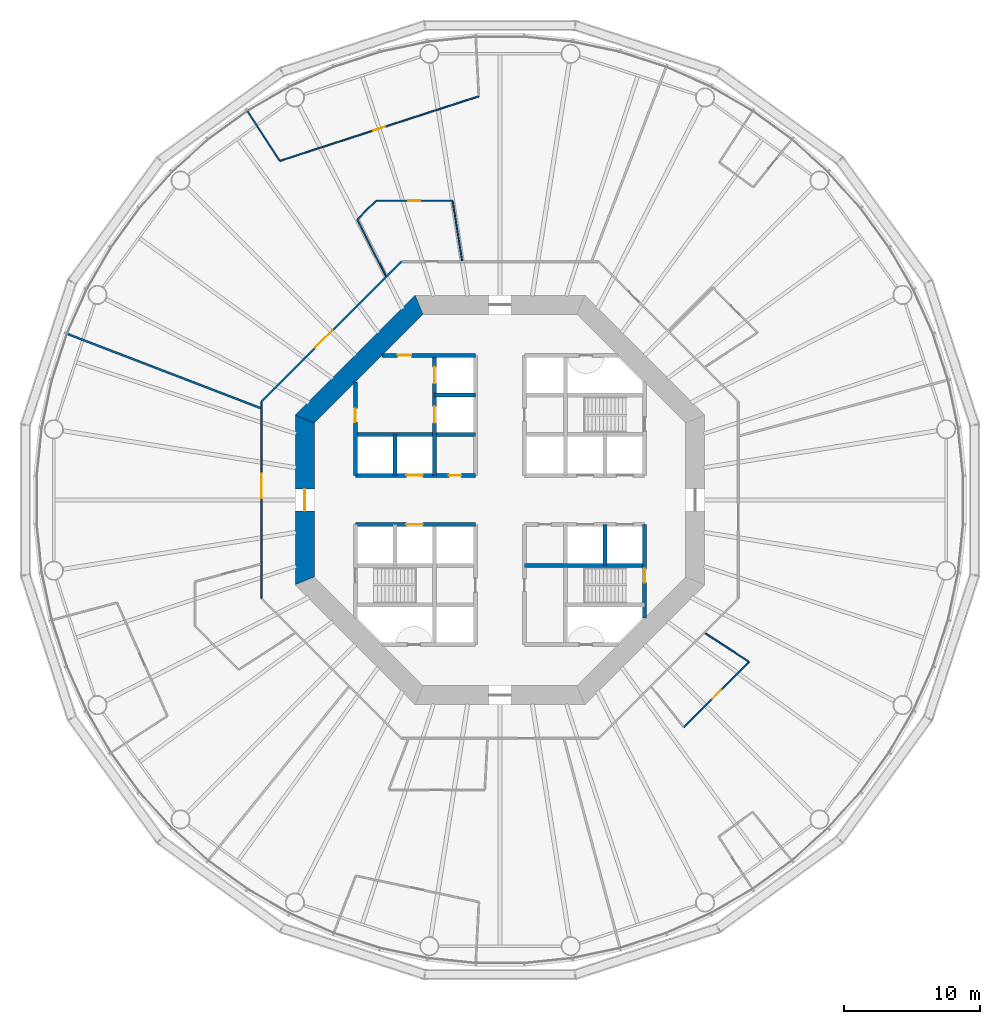
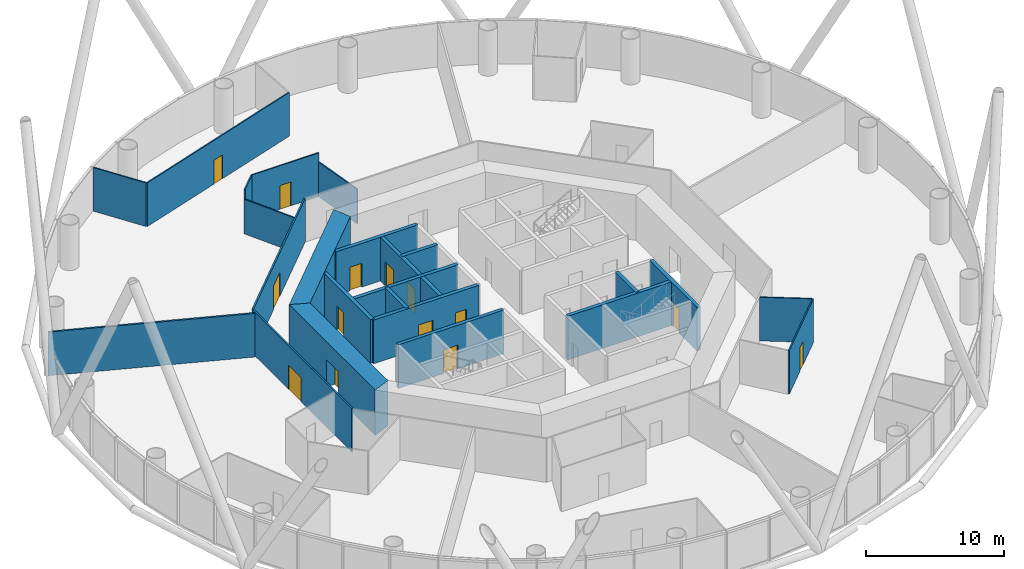
# One storey, part 4 of 13: 24 walls, 14 doors, 14 openings.
"""IFC4 building model written with IfcOpenShell, lengths in metres."""

import ifcopenshell
import ifcopenshell.guid

model = None  # the IFC model being written
_history = None  # IfcOwnerHistory: only IFC2X3 demands one
_inside = {}  # id of a spatial element -> (the spatial element, [elements in it])
_under = {}  # id of a project, library or spatial element -> (it, [spatial elements below it])
_declared = {}  # id of a project -> (the project, [libraries it declares])
_typed = {}  # id of a type object -> (the type object, [elements of that type])
_made_of = {}  # id of a material, layer set ... -> (it, [elements and type objects made of it])


def new_model(schema):
    """Start an empty IFC model of exactly this schema.

    Asked for "IFC4X3", IfcOpenShell would pick the latest addendum, in which some entities
    have other attributes; the version numbers below select the first issue.
    IFC2X3 requires an IfcOwnerHistory on every rooted entity: one is made here for all.
    """
    global model, _history
    if schema == "IFC4X3":
        model = ifcopenshell.file(schema_version=(4, 3, 0, 0))
    else:
        model = ifcopenshell.file(schema=schema)
    _inside.clear()
    _under.clear()
    _declared.clear()
    _typed.clear()
    _made_of.clear()
    _history = None
    if model.schema == "IFC2X3":
        org = make("IfcOrganization", Name="unknown")
        user = make(
            "IfcPersonAndOrganization",
            ThePerson=make("IfcPerson", FamilyName="unknown"),
            TheOrganization=org,
        )
        app = make(
            "IfcApplication",
            ApplicationDeveloper=org,
            Version="unknown",
            ApplicationFullName="unknown",
            ApplicationIdentifier="unknown",
        )
        _history = make(
            "IfcOwnerHistory",
            OwningUser=user,
            OwningApplication=app,
            ChangeAction="ADDED",
            CreationDate=0,
        )
    return model


def make(cls, **values):
    """One entity of the class cls with the attributes given. An attribute that is None is left unset."""
    return model.create_entity(
        cls, **{name: value for name, value in values.items() if value is not None}
    )


def rooted(cls, **values):
    """An entity with a GlobalId (a new one), such as an element, a storey or a relation."""
    return make(cls, GlobalId=ifcopenshell.guid.new(), OwnerHistory=_history, **values)


def si_unit(unit_type, name, prefix=None):
    """IfcSIUnit, for example si_unit("LENGTHUNIT", "METRE", prefix="MILLI")."""
    return make("IfcSIUnit", UnitType=unit_type, Prefix=prefix, Name=name)


def assignment(units):
    """IfcUnitAssignment: the units of a project."""
    return None if units is None else make("IfcUnitAssignment", Units=units)


def point(xyz):
    """IfcCartesianPoint."""
    return None if xyz is None else make("IfcCartesianPoint", Coordinates=xyz)


def direction(xyz):
    """IfcDirection."""
    return None if xyz is None else make("IfcDirection", DirectionRatios=xyz)


def frame(location, z_axis=None, x_axis=None):
    """IfcAxis2Placement3D, a coordinate frame: its origin and axes. An axis left out is left unset."""
    return make(
        "IfcAxis2Placement3D",
        Location=point(location),
        Axis=direction(z_axis),
        RefDirection=direction(x_axis),
    )


def frame_2d(location, x_axis=None):
    """IfcAxis2Placement2D, a coordinate frame in the plane: its origin and x axis."""
    return make(
        "IfcAxis2Placement2D", Location=point(location), RefDirection=direction(x_axis)
    )


def origin():
    """The frame at (0, 0, 0) with its axes left unset."""
    return frame((0.0, 0.0, 0.0))


def place(relative_to, where):
    """IfcLocalPlacement: puts the frame where relative to a parent placement (None: the world)."""
    return make(
        "IfcLocalPlacement", PlacementRelTo=relative_to, RelativePlacement=where
    )


def context(
    kind, dimensions, precision=None, world=None, true_north=None, identifier=None
):
    """IfcGeometricRepresentationContext, for example the 3D "Model" context."""
    return make(
        "IfcGeometricRepresentationContext",
        ContextIdentifier=identifier,
        ContextType=kind,
        CoordinateSpaceDimension=dimensions,
        Precision=precision,
        WorldCoordinateSystem=world,
        TrueNorth=true_north,
    )


def subcontext(parent, identifier, kind, view, scale=None):
    """IfcGeometricRepresentationSubContext, for example "Body" below "Model"."""
    return make(
        "IfcGeometricRepresentationSubContext",
        ContextIdentifier=identifier,
        ContextType=kind,
        ParentContext=parent,
        TargetScale=scale,
        TargetView=view,
    )


def project(units=None, contexts=None):
    """IfcProject with its units and contexts."""
    return rooted(
        "IfcProject",
        Name="project",
        RepresentationContexts=contexts,
        UnitsInContext=assignment(units),
    )


def spatial(cls, under=None, at=None, **own):
    """A site, building, storey or space (cls), placed at a placement, below another one or the project."""
    s = rooted(cls, ObjectPlacement=at, **own)
    if under is not None:
        _under.setdefault(under.id(), (under, []))[1].append(s)
    return s


def polyline(points):
    """IfcPolyline through the points."""
    return make("IfcPolyline", Points=[point(p) for p in points])


def profile(cls, at=None, kind="AREA", **sizes):
    """A parametric profile (cls). Its sizes go by their IFC names, for example OverallWidth=200.0."""
    return make(cls, ProfileType=kind, Position=at, **sizes)


def rectangle(**sizes):
    """IfcRectangleProfileDef."""
    return profile("IfcRectangleProfileDef", **sizes)


def outline(outer, holes=None, kind="AREA"):
    """IfcArbitraryClosedProfileDef: a profile drawn as a closed curve; with holes, ...WithVoids."""
    if holes is None:
        return make("IfcArbitraryClosedProfileDef", ProfileType=kind, OuterCurve=outer)
    return make(
        "IfcArbitraryProfileDefWithVoids",
        ProfileType=kind,
        OuterCurve=outer,
        InnerCurves=holes,
    )


def extrude(swept, where, along, depth):
    """IfcExtrudedAreaSolid: the profile swept, set in the frame where, extruded along a direction by depth."""
    return make(
        "IfcExtrudedAreaSolid",
        SweptArea=swept,
        Position=where,
        ExtrudedDirection=direction(along),
        Depth=depth,
    )


def shape(context_of_items, identifier, shape_type, items):
    """IfcShapeRepresentation: the items that make up one representation, for example the "Body"."""
    return make(
        "IfcShapeRepresentation",
        ContextOfItems=context_of_items,
        RepresentationIdentifier=identifier,
        RepresentationType=shape_type,
        Items=items,
    )


def material(Name=None, Category=None):
    """IfcMaterial."""
    return make("IfcMaterial", Name=Name, Category=Category)


def layer(
    of_material, thickness, ventilated=None, Name=None, Category=None, Priority=None
):
    """IfcMaterialLayer: one layer of a wall or slab, of a material (None: an air gap)."""
    return make(
        "IfcMaterialLayer",
        Material=of_material,
        LayerThickness=thickness,
        IsVentilated=ventilated,
        Name=Name,
        Category=Category,
        Priority=Priority,
    )


def layer_set(layers, Name=None):
    """IfcMaterialLayerSet."""
    return make("IfcMaterialLayerSet", MaterialLayers=layers, LayerSetName=Name)


def made_of(thing, what):
    """Note that an element or type object is made of a material, layer set ...; save() writes the relation."""
    if what is not None:
        _made_of.setdefault(what.id(), (what, []))[1].append(thing)
    return thing


def type_object(cls, material=None, **own):
    """A type object (cls), such as IfcWallType, which elements share."""
    return made_of(rooted(cls, **own), material)


def element(
    cls,
    number,
    at=None,
    inside=None,
    cuts=None,
    type_object=None,
    material=None,
    context=None,
    identifier="Body",
    shape_type=None,
    held_by="IfcProductDefinitionShape",
    body=None,
    shapes=None,
    **own,
):
    """One element of the class cls, such as IfcWall. Its Tag is "e" and its number.

    at: its placement. inside: the storey or other place that contains it. cuts: it is an
    opening in that element (IfcRelVoidsElement). A single representation is given by context,
    identifier, shape_type and body (its items); several are given by shapes. held_by: the class
    of the entity that holds the representations. save() writes the other relations.
    """
    e = rooted(cls, Tag="e%d" % number, ObjectPlacement=at, **own)
    if body is not None:
        shapes = [shape(context, identifier, shape_type, body)]
    if shapes is not None:
        e.Representation = make(held_by, Representations=shapes)
    if inside is not None:
        _inside.setdefault(inside.id(), (inside, []))[1].append(e)
    if cuts is not None:
        rooted(
            "IfcRelVoidsElement", RelatingBuildingElement=cuts, RelatedOpeningElement=e
        )
    if type_object is not None:
        _typed.setdefault(type_object.id(), (type_object, []))[1].append(e)
    return made_of(e, material)


def fill(opening, filler):
    """IfcRelFillsElement: the door or window that sits in an opening."""
    return rooted(
        "IfcRelFillsElement",
        RelatingOpeningElement=opening,
        RelatedBuildingElement=filler,
    )


def aggregate(whole, parts):
    """IfcRelAggregates: a whole, such as a stair, and the parts it consists of."""
    return rooted("IfcRelAggregates", RelatingObject=whole, RelatedObjects=parts)


def save(model, path):
    """Write the relations noted so far, then the file.

    IfcRelAggregates (storeys below a building ...), IfcRelContainedInSpatialStructure (elements
    in a storey), IfcRelDefinesByType, IfcRelAssociatesMaterial and IfcRelDeclares: one each for
    every whole, place, type object, material and project.
    """
    for whole, parts in _under.values():
        aggregate(whole, parts)
    for where, things in _inside.values():
        rooted(
            "IfcRelContainedInSpatialStructure",
            RelatedElements=things,
            RelatingStructure=where,
        )
    for kind, things in _typed.values():
        rooted("IfcRelDefinesByType", RelatedObjects=things, RelatingType=kind)
    for what, things in _made_of.values():
        rooted("IfcRelAssociatesMaterial", RelatedObjects=things, RelatingMaterial=what)
    for by, libraries in _declared.values():
        rooted("IfcRelDeclares", RelatingContext=by, RelatedDefinitions=libraries)
    model.write(path)


model = new_model("IFC4")

# Units and contexts
model_context = context("Model", 3, precision=1e-05, world=origin(), true_north=direction((0.0, 1.0)))
body_context = subcontext(model_context, "Body", "Model", "MODEL_VIEW")
ifc_project = project(units=[si_unit("LENGTHUNIT", "METRE"), si_unit("AREAUNIT", "SQUARE_METRE"), si_unit("VOLUMEUNIT", "CUBIC_METRE"), si_unit("PLANEANGLEUNIT", "RADIAN"), si_unit("MASSUNIT", "GRAM", prefix="KILO")], contexts=[model_context])

# Site, building, storey
site_placement = place(None, origin())
site = spatial("IfcSite", under=ifc_project, at=site_placement, CompositionType="ELEMENT")
building_placement = place(site_placement, origin())
building = spatial("IfcBuilding", under=site, at=building_placement, Name="Entoto Ring Tower", CompositionType="ELEMENT")
storey_placement = place(building_placement, frame((0.0, 0.0, 18.0)))
storey = spatial("IfcBuildingStorey", under=building, at=storey_placement, Name="L02", CompositionType="ELEMENT", Elevation=18.0)

# Wall, opening, door
ifc_material_1 = material(Name="Concrete C40/50", Category="concrete")
ifc_layer_1 = layer(ifc_material_1, 0.300048828125)
ifc_layer_set_1 = layer_set([ifc_layer_1], Name="Concrete C40/50")
wall_type_1 = type_object("IfcWallType", Name="Core enclosure wall 300 mm reinforced concrete", PredefinedType="SOLIDWALL", material=ifc_layer_set_1)
wall_1_placement = place(storey_placement, frame((100.60009765625, 71.36669921875, 0.0), z_axis=(0.0, 0.0, 1.0), x_axis=(0.0, 1.0, 0.0)))
wall_1 = element("IfcWall", 1, at=wall_1_placement, inside=storey, type_object=wall_type_1, Name="wall-L02-001", PredefinedType="SOLIDWALL", context=body_context, shape_type="SweptSolid", body=[
    extrude(rectangle(XDim=6.833251953125, YDim=0.300048828125, at=frame_2d((3.41650390625, 0.0))), origin(), (0.0, 0.0, 1.0), 3.85009765625),
])
opening_1_placement = place(wall_1_placement, frame((2.583251953125, 0.0, 0.0)))
opening_1 = element("IfcOpeningElement", 2, at=opening_1_placement, cuts=wall_1, Name="Opening K-59", PredefinedType="OPENING", context=body_context, shape_type="SweptSolid", body=[
    extrude(rectangle(XDim=1.0, YDim=2.10009765625, at=frame_2d((0.5, 1.050048828125))), frame((0.0, 0.16015625, 0.0), z_axis=(0.0, -1.0, 0.0), x_axis=(1.0, 0.0, 0.0)), (0.0, 0.0, 1.0), 0.320068359375),
])
ifc_material_2 = material(Name="Steel door leaf, fire rated", Category="steel")
ifc_layer_2 = layer(ifc_material_2, 0.050048828125)
ifc_layer_set_2 = layer_set([ifc_layer_2], Name="Steel door leaf, fire rated")
door_type_1 = type_object("IfcDoorType", Name="Fire door FD60 1000 x 2100 single leaf", OperationType="NOTDEFINED", PredefinedType="DOOR", material=ifc_layer_set_2)
door_1_placement = place(opening_1_placement, origin())
door_1 = element("IfcDoor", 3, at=door_1_placement, inside=storey, type_object=door_type_1, Name="Door K-59", OperationType="SINGLE_SWING_RIGHT", OverallHeight=2.10009765625, OverallWidth=1.0, PredefinedType="DOOR", context=body_context, shape_type="SweptSolid", body=[
    extrude(rectangle(XDim=1.0, YDim=2.10009765625, at=frame_2d((0.5, 1.050048828125))), frame((0.0, 0.02490234375, 0.0), z_axis=(0.0, -1.0, 0.0), x_axis=(1.0, 0.0, 0.0)), (0.0, 0.0, 1.0), 0.050048828125),
])
fill(opening_1, door_1)

# Wall
wall_2_placement = place(storey_placement, frame((97.699951171875, 75.199951171875, 0.0), z_axis=(0.0, 0.0, 1.0), x_axis=(0.0, 1.0, 0.0)))
element("IfcWall", 4, at=wall_2_placement, inside=storey, type_object=wall_type_1, Name="wall-L02-003", PredefinedType="SOLIDWALL", context=body_context, shape_type="SweptSolid", body=[
    extrude(rectangle(XDim=3.0, YDim=0.300048828125, at=frame_2d((1.5, 0.0))), origin(), (0.0, 0.0, 1.0), 3.85009765625),
])

# Wall, openings, doors
wall_3_placement = place(storey_placement, frame((85.199951171875, 81.800048828125, 0.0), z_axis=(0.0, 0.0, 1.0), x_axis=(0.0, 1.0, 0.0)))
wall_3 = element("IfcWall", 5, at=wall_3_placement, inside=storey, type_object=wall_type_1, Name="wall-L02-012", PredefinedType="SOLIDWALL", context=body_context, shape_type="SweptSolid", body=[
    extrude(rectangle(XDim=8.800048828125, YDim=0.300048828125, at=frame_2d((4.39990234375, 0.0))), origin(), (0.0, 0.0, 1.0), 3.85009765625),
])
opening_2_placement = place(wall_3_placement, frame((3.85009765625, 0.0, 0.0)))
opening_2 = element("IfcOpeningElement", 6, at=opening_2_placement, cuts=wall_3, Name="Opening LD", PredefinedType="OPENING", context=body_context, shape_type="SweptSolid", body=[
    extrude(rectangle(XDim=1.199951171875, YDim=2.10009765625, at=frame_2d((0.60009765625, 1.050048828125))), frame((0.0, 0.16015625, 0.0), z_axis=(0.0, -1.0, 0.0), x_axis=(1.0, 0.0, 0.0)), (0.0, 0.0, 1.0), 0.320068359375),
])
opening_3_placement = place(wall_3_placement, frame((6.75, 0.0, 0.0)))
opening_3 = element("IfcOpeningElement", 7, at=opening_3_placement, cuts=wall_3, Name="Opening LD", PredefinedType="OPENING", context=body_context, shape_type="SweptSolid", body=[
    extrude(rectangle(XDim=1.199951171875, YDim=2.10009765625, at=frame_2d((0.60009765625, 1.050048828125))), frame((0.0, 0.16015625, 0.0), z_axis=(0.0, -1.0, 0.0), x_axis=(1.0, 0.0, 0.0)), (0.0, 0.0, 1.0), 0.320068359375),
])
ifc_material_3 = material(Name="Steel and glass door leaf", Category="steel")
ifc_layer_3 = layer(ifc_material_3, 0.050048828125)
ifc_layer_set_3 = layer_set([ifc_layer_3], Name="Steel and glass door leaf")
door_type_2 = type_object("IfcDoorType", Name="Landing door 1200 x 2100 sliding", OperationType="DOUBLE_DOOR_SLIDING", PredefinedType="DOOR", material=ifc_layer_set_3)
door_2_placement = place(opening_2_placement, origin())
door_2 = element("IfcDoor", 8, at=door_2_placement, inside=storey, type_object=door_type_2, Name="Landing door FF1", OperationType="SLIDING_TO_RIGHT", OverallHeight=2.10009765625, OverallWidth=1.199951171875, PredefinedType="DOOR", context=body_context, shape_type="SweptSolid", body=[
    extrude(rectangle(XDim=1.199951171875, YDim=2.10009765625, at=frame_2d((0.60009765625, 1.050048828125))), frame((0.0, 0.02490234375, 0.0), z_axis=(0.0, -1.0, 0.0), x_axis=(1.0, 0.0, 0.0)), (0.0, 0.0, 1.0), 0.050048828125),
])
fill(opening_2, door_2)
door_3_placement = place(opening_3_placement, origin())
door_3 = element("IfcDoor", 9, at=door_3_placement, inside=storey, type_object=door_type_2, Name="Landing door FF2", OperationType="SLIDING_TO_RIGHT", OverallHeight=2.10009765625, OverallWidth=1.199951171875, PredefinedType="DOOR", context=body_context, shape_type="SweptSolid", body=[
    extrude(rectangle(XDim=1.199951171875, YDim=2.10009765625, at=frame_2d((0.60009765625, 1.050048828125))), frame((0.0, 0.02490234375, 0.0), z_axis=(0.0, -1.0, 0.0), x_axis=(1.0, 0.0, 0.0)), (0.0, 0.0, 1.0), 0.050048828125),
])
fill(opening_3, door_3)

# Wall
wall_4_placement = place(storey_placement, frame((82.300048828125, 81.800048828125, 0.0), z_axis=(0.0, 0.0, 1.0), x_axis=(0.0, 1.0, 0.0)))
element("IfcWall", 10, at=wall_4_placement, inside=storey, type_object=wall_type_1, Name="wall-L02-014", PredefinedType="SOLIDWALL", context=body_context, shape_type="SweptSolid", body=[
    extrude(rectangle(XDim=3.0, YDim=0.300048828125, at=frame_2d((1.5, 0.0))), origin(), (0.0, 0.0, 1.0), 3.85009765625),
])

# Wall, opening, door
wall_5_placement = place(storey_placement, frame((79.39990234375, 81.800048828125, 0.0), z_axis=(0.0, 0.0, 1.0), x_axis=(0.0, 1.0, 0.0)))
wall_5 = element("IfcWall", 11, at=wall_5_placement, inside=storey, type_object=wall_type_1, Name="wall-L02-016", PredefinedType="SOLIDWALL", context=body_context, shape_type="SweptSolid", body=[
    extrude(rectangle(XDim=6.833251953125, YDim=0.300048828125, at=frame_2d((3.41650390625, 0.0))), origin(), (0.0, 0.0, 1.0), 3.85009765625),
])
opening_4_placement = place(wall_5_placement, frame((3.89990234375, 0.0, 0.0)))
opening_4 = element("IfcOpeningElement", 12, at=opening_4_placement, cuts=wall_5, Name="Opening K-22", PredefinedType="OPENING", context=body_context, shape_type="SweptSolid", body=[
    extrude(rectangle(XDim=1.0, YDim=2.10009765625, at=frame_2d((0.5, 1.050048828125))), frame((0.0, 0.16015625, 0.0), z_axis=(0.0, -1.0, 0.0), x_axis=(1.0, 0.0, 0.0)), (0.0, 0.0, 1.0), 0.320068359375),
])
door_4_placement = place(opening_4_placement, frame((1.0, 0.0, 0.0), z_axis=(0.0, 0.0, 1.0), x_axis=(-1.0, 0.0, 0.0)))
door_4 = element("IfcDoor", 13, at=door_4_placement, inside=storey, type_object=door_type_1, Name="Door K-22", OperationType="SINGLE_SWING_LEFT", OverallHeight=2.10009765625, OverallWidth=1.0, PredefinedType="DOOR", context=body_context, shape_type="SweptSolid", body=[
    extrude(rectangle(XDim=1.0, YDim=2.10009765625, at=frame_2d((0.5, 1.050048828125))), frame((0.0, 0.02490234375, 0.0), z_axis=(0.0, -1.0, 0.0), x_axis=(1.0, 0.0, 0.0)), (0.0, 0.0, 1.0), 0.050048828125),
])
fill(opening_4, door_4)

# Wall
wall_6_placement = place(storey_placement, frame((91.800048828125, 75.199951171875, 0.0), z_axis=(0.0, 0.0, 1.0), x_axis=(1.0, 0.0, 0.0)))
element("IfcWall", 14, at=wall_6_placement, inside=storey, type_object=wall_type_1, Name="wall-L02-022", PredefinedType="SOLIDWALL", context=body_context, shape_type="SweptSolid", body=[
    extrude(rectangle(XDim=8.800048828125, YDim=0.300048828125, at=frame_2d((4.39990234375, 0.0))), origin(), (0.0, 0.0, 1.0), 3.85009765625),
])

# Wall, opening, door
wall_7_placement = place(storey_placement, frame((79.39990234375, 78.199951171875, 0.0), z_axis=(0.0, 0.0, 1.0), x_axis=(1.0, 0.0, 0.0)))
wall_7 = element("IfcWall", 15, at=wall_7_placement, inside=storey, type_object=wall_type_1, Name="wall-L02-023", PredefinedType="SOLIDWALL", context=body_context, shape_type="SweptSolid", body=[
    extrude(rectangle(XDim=8.800048828125, YDim=0.300048828125, at=frame_2d((4.39990234375, 0.0))), origin(), (0.0, 0.0, 1.0), 3.85009765625),
])
opening_5_placement = place(wall_7_placement, frame((3.75, 0.0, 0.0)))
opening_5 = element("IfcOpeningElement", 16, at=opening_5_placement, cuts=wall_7, Name="Opening LD", PredefinedType="OPENING", context=body_context, shape_type="SweptSolid", body=[
    extrude(rectangle(XDim=1.199951171875, YDim=2.10009765625, at=frame_2d((0.60009765625, 1.050048828125))), frame((0.0, 0.16015625, 0.0), z_axis=(0.0, -1.0, 0.0), x_axis=(1.0, 0.0, 0.0)), (0.0, 0.0, 1.0), 0.320068359375),
])
door_5_placement = place(opening_5_placement, origin())
door_5 = element("IfcDoor", 17, at=door_5_placement, inside=storey, type_object=door_type_2, Name="Landing door LB6-LR", OperationType="SLIDING_TO_RIGHT", OverallHeight=2.10009765625, OverallWidth=1.199951171875, PredefinedType="DOOR", context=body_context, shape_type="SweptSolid", body=[
    extrude(rectangle(XDim=1.199951171875, YDim=2.10009765625, at=frame_2d((0.60009765625, 1.050048828125))), frame((0.0, 0.02490234375, 0.0), z_axis=(0.0, -1.0, 0.0), x_axis=(1.0, 0.0, 0.0)), (0.0, 0.0, 1.0), 0.050048828125),
])
fill(opening_5, door_5)

# Wall, openings, doors
wall_8_placement = place(storey_placement, frame((79.39990234375, 81.800048828125, 0.0), z_axis=(0.0, 0.0, 1.0), x_axis=(1.0, 0.0, 0.0)))
wall_8 = element("IfcWall", 18, at=wall_8_placement, inside=storey, type_object=wall_type_1, Name="wall-L02-025", PredefinedType="SOLIDWALL", context=body_context, shape_type="SweptSolid", body=[
    extrude(rectangle(XDim=8.800048828125, YDim=0.300048828125, at=frame_2d((4.39990234375, 0.0))), origin(), (0.0, 0.0, 1.0), 3.85009765625),
])
opening_6_placement = place(wall_8_placement, frame((3.75, 0.0, 0.0)))
opening_6 = element("IfcOpeningElement", 19, at=opening_6_placement, cuts=wall_8, Name="Opening LD", PredefinedType="OPENING", context=body_context, shape_type="SweptSolid", body=[
    extrude(rectangle(XDim=1.199951171875, YDim=2.10009765625, at=frame_2d((0.60009765625, 1.050048828125))), frame((0.0, 0.16015625, 0.0), z_axis=(0.0, -1.0, 0.0), x_axis=(1.0, 0.0, 0.0)), (0.0, 0.0, 1.0), 0.320068359375),
])
opening_7_placement = place(wall_8_placement, frame((6.85009765625, 0.0, 0.0)))
opening_7 = element("IfcOpeningElement", 20, at=opening_7_placement, cuts=wall_8, Name="Opening K-14", PredefinedType="OPENING", context=body_context, shape_type="SweptSolid", body=[
    extrude(rectangle(XDim=0.89990234375, YDim=2.10009765625, at=frame_2d((0.449951171875, 1.050048828125))), frame((0.0, 0.16015625, 0.0), z_axis=(0.0, -1.0, 0.0), x_axis=(1.0, 0.0, 0.0)), (0.0, 0.0, 1.0), 0.320068359375),
])
ifc_material_4 = material(Name="Steel door leaf, fire rated", Category="steel")
ifc_layer_4 = layer(ifc_material_4, 0.050048828125)
ifc_layer_set_4 = layer_set([ifc_layer_4], Name="Steel door leaf, fire rated")
door_type_3 = type_object("IfcDoorType", Name="Core door 900 x 2100 single leaf", OperationType="NOTDEFINED", PredefinedType="DOOR", material=ifc_layer_set_4)
door_6_placement = place(opening_7_placement, frame((0.89990234375, 0.0, 0.0), z_axis=(0.0, 0.0, 1.0), x_axis=(-1.0, 0.0, 0.0)))
door_6 = element("IfcDoor", 21, at=door_6_placement, inside=storey, type_object=door_type_3, Name="Door K-14", OperationType="SINGLE_SWING_RIGHT", OverallHeight=2.10009765625, OverallWidth=0.89990234375, PredefinedType="DOOR", context=body_context, shape_type="SweptSolid", body=[
    extrude(rectangle(XDim=0.89990234375, YDim=2.10009765625, at=frame_2d((0.449951171875, 1.050048828125))), frame((0.0, 0.02490234375, 0.0), z_axis=(0.0, -1.0, 0.0), x_axis=(1.0, 0.0, 0.0)), (0.0, 0.0, 1.0), 0.050048828125),
])
fill(opening_7, door_6)
door_7_placement = place(opening_6_placement, origin())
door_7 = element("IfcDoor", 22, at=door_7_placement, inside=storey, type_object=door_type_2, Name="Landing door LB3-LR", OperationType="SLIDING_TO_RIGHT", OverallHeight=2.10009765625, OverallWidth=1.199951171875, PredefinedType="DOOR", context=body_context, shape_type="SweptSolid", body=[
    extrude(rectangle(XDim=1.199951171875, YDim=2.10009765625, at=frame_2d((0.60009765625, 1.050048828125))), frame((0.0, 0.02490234375, 0.0), z_axis=(0.0, -1.0, 0.0), x_axis=(1.0, 0.0, 0.0)), (0.0, 0.0, 1.0), 0.050048828125),
])
fill(opening_6, door_7)

# Walls
wall_9_placement = place(storey_placement, frame((79.39990234375, 84.800048828125, 0.0), z_axis=(0.0, 0.0, 1.0), x_axis=(1.0, 0.0, 0.0)))
element("IfcWall", 23, at=wall_9_placement, inside=storey, type_object=wall_type_1, Name="wall-L02-027", PredefinedType="SOLIDWALL", context=body_context, shape_type="SweptSolid", body=[
    extrude(rectangle(XDim=8.800048828125, YDim=0.300048828125, at=frame_2d((4.39990234375, 0.0))), origin(), (0.0, 0.0, 1.0), 3.85009765625),
])
wall_10_placement = place(storey_placement, frame((85.199951171875, 87.699951171875, 0.0), z_axis=(0.0, 0.0, 1.0), x_axis=(1.0, 0.0, 0.0)))
element("IfcWall", 24, at=wall_10_placement, inside=storey, type_object=wall_type_1, Name="wall-L02-029", PredefinedType="SOLIDWALL", context=body_context, shape_type="SweptSolid", body=[
    extrude(rectangle(XDim=3.0, YDim=0.300048828125, at=frame_2d((1.5, 0.0))), origin(), (0.0, 0.0, 1.0), 3.85009765625),
])

# Wall, opening, door
wall_11_placement = place(storey_placement, frame((81.36669921875, 90.60009765625, 0.0), z_axis=(0.0, 0.0, 1.0), x_axis=(1.0, 0.0, 0.0)))
wall_11 = element("IfcWall", 25, at=wall_11_placement, inside=storey, type_object=wall_type_1, Name="wall-L02-031", PredefinedType="SOLIDWALL", context=body_context, shape_type="SweptSolid", body=[
    extrude(rectangle(XDim=6.833251953125, YDim=0.300048828125, at=frame_2d((3.41650390625, 0.0))), origin(), (0.0, 0.0, 1.0), 3.85009765625),
])
opening_8_placement = place(wall_11_placement, frame((1.13330078125, 0.0, 0.0)))
opening_8 = element("IfcOpeningElement", 26, at=opening_8_placement, cuts=wall_11, Name="Opening K-23", PredefinedType="OPENING", context=body_context, shape_type="SweptSolid", body=[
    extrude(rectangle(XDim=1.0, YDim=2.10009765625, at=frame_2d((0.5, 1.050048828125))), frame((0.0, 0.16015625, 0.0), z_axis=(0.0, -1.0, 0.0), x_axis=(1.0, 0.0, 0.0)), (0.0, 0.0, 1.0), 0.320068359375),
])
door_8_placement = place(opening_8_placement, frame((1.0, 0.0, 0.0), z_axis=(0.0, 0.0, 1.0), x_axis=(-1.0, 0.0, 0.0)))
door_8 = element("IfcDoor", 27, at=door_8_placement, inside=storey, type_object=door_type_1, Name="Door K-23", OperationType="SINGLE_SWING_RIGHT", OverallHeight=2.10009765625, OverallWidth=1.0, PredefinedType="DOOR", context=body_context, shape_type="SweptSolid", body=[
    extrude(rectangle(XDim=1.0, YDim=2.10009765625, at=frame_2d((0.5, 1.050048828125))), frame((0.0, 0.02490234375, 0.0), z_axis=(0.0, -1.0, 0.0), x_axis=(1.0, 0.0, 0.0)), (0.0, 0.0, 1.0), 0.050048828125),
])
fill(opening_8, door_8)

# Wall
ifc_material_5 = material(Name="Concrete C60/75", Category="concrete")
ifc_layer_5 = layer(ifc_material_5, 1.39990234375)
ifc_layer_set_5 = layer_set([ifc_layer_5], Name="Concrete C60/75")
wall_type_2 = type_object("IfcWallType", Name="Core shear wall 1400 mm reinforced concrete C60/75", PredefinedType="SHEAR", material=ifc_layer_set_5)
wall_12_placement = place(storey_placement, frame((84.07666015625, 94.300048828125, 0.0), z_axis=(0.0, 0.0, 1.0), x_axis=(-0.707106781187, -0.707106781187, 0.0)))
element("IfcWall", 28, at=wall_12_placement, inside=storey, type_object=wall_type_2, Name="wall-L02-core-3", PredefinedType="SHEAR", context=body_context, shape_type="SweptSolid", body=[
    extrude(outline(polyline([(-0.2900390625, -0.699951171875), (12.136474609375, -0.699951171875), (11.556396484375, 0.699951171875), (0.2900390625, 0.699951171875), (-0.2900390625, -0.699951171875)])), origin(), (0.0, 0.0, 1.0), 4.0),
])

# Wall, opening, door
wall_13_placement = place(storey_placement, frame((75.699951171875, 85.92333984375, 0.0), z_axis=(0.0, 0.0, 1.0), x_axis=(0.0, -1.0, 0.0)))
wall_13 = element("IfcWall", 29, at=wall_13_placement, inside=storey, type_object=wall_type_2, Name="wall-L02-core-4", PredefinedType="SHEAR", context=body_context, shape_type="SweptSolid", body=[
    extrude(outline(polyline([(-0.2900390625, -0.699951171875), (12.13671875, -0.699951171875), (11.556640625, 0.699951171875), (0.2900390625, 0.699951171875), (-0.2900390625, -0.699951171875)])), origin(), (0.0, 0.0, 1.0), 4.0),
])
opening_9_placement = place(wall_13_placement, frame((5.123291015625, 0.0, 0.0)))
opening_9 = element("IfcOpeningElement", 30, at=opening_9_placement, cuts=wall_13, Name="Opening K-03", PredefinedType="OPENING", context=body_context, shape_type="SweptSolid", body=[
    extrude(rectangle(XDim=1.60009765625, YDim=2.39990234375, at=frame_2d((0.800048828125, 1.199951171875))), frame((0.0, 0.7099609375, 0.0), z_axis=(0.0, -1.0, 0.0), x_axis=(1.0, 0.0, 0.0)), (0.0, 0.0, 1.0), 1.419921875),
])
ifc_material_6 = material(Name="Steel door leaf, fire rated", Category="steel")
ifc_layer_6 = layer(ifc_material_6, 0.050048828125)
ifc_layer_set_6 = layer_set([ifc_layer_6], Name="Steel door leaf, fire rated")
door_type_4 = type_object("IfcDoorType", Name="Entrance door FD60 1600 x 2400 double leaf", OperationType="DOUBLE_DOOR_SINGLE_SWING", PredefinedType="DOOR", material=ifc_layer_set_6)
door_9_placement = place(opening_9_placement, origin())
door_9 = element("IfcDoor", 31, at=door_9_placement, inside=storey, type_object=door_type_4, Name="Entrance door K-03", OperationType="DOUBLE_DOOR_SINGLE_SWING", OverallHeight=2.39990234375, OverallWidth=1.60009765625, PredefinedType="DOOR", context=body_context, shape_type="SweptSolid", body=[
    extrude(rectangle(XDim=1.60009765625, YDim=2.39990234375, at=frame_2d((0.800048828125, 1.199951171875))), frame((0.0, 0.02490234375, 0.0), z_axis=(0.0, -1.0, 0.0), x_axis=(1.0, 0.0, 0.0)), (0.0, 0.0, 1.0), 0.050048828125),
])
fill(opening_9, door_9)

ifc_material_7 = material(Name="Fire-resisting plasterboard on steel studs", Category="steel")
ifc_layer_7 = layer(ifc_material_7, 0.125)
ifc_layer_set_7 = layer_set([ifc_layer_7], Name="Fire-resisting plasterboard on steel studs")
wall_type_3 = type_object("IfcWallType", Name="Corridor wall 125 mm one-hour plasterboard on steel studs", PredefinedType="PARTITIONING", material=ifc_layer_set_7)
wall_14_placement = place(storey_placement, frame((72.53759765625, 87.233154296875, 0.0), z_axis=(0.0, 0.0, 1.0), x_axis=(0.707106781187, 0.707106781187, 0.0)))
wall_14 = element("IfcWall", 32, at=wall_14_placement, inside=storey, type_object=wall_type_3, Name="partition-L02-001", PredefinedType="PARTITIONING", context=body_context, shape_type="SweptSolid", body=[
    extrude(rectangle(XDim=14.46630859375, YDim=0.125, at=frame_2d((7.233154296875, 0.0))), origin(), (0.0, 0.0, 1.0), 3.85009765625),
])
opening_10_placement = place(wall_14_placement, frame((5.5537109375, 0.0, 0.0)))
opening_10 = element("IfcOpeningElement", 33, at=opening_10_placement, cuts=wall_14, Name="Opening A02-D01", PredefinedType="OPENING", context=body_context, shape_type="SweptSolid", body=[
    extrude(rectangle(XDim=1.800048828125, YDim=2.10009765625, at=frame_2d((0.89990234375, 1.050048828125))), frame((0.0, 0.072509765625, 0.0), z_axis=(0.0, -1.0, 0.0), x_axis=(1.0, 0.0, 0.0)), (0.0, 0.0, 1.0), 0.14501953125),
])
ifc_material_8 = material(Name="Fire-resisting timber door set", Category="wood")
door_type_5 = type_object("IfcDoorType", Name="Door 1800 x 2100 double leaf FD30S fire door", OperationType="DOUBLE_DOOR_SINGLE_SWING", PredefinedType="DOOR", material=ifc_material_8)
door_10_placement = place(opening_10_placement, frame((1.800048828125, 0.0, 0.0), z_axis=(0.0, 0.0, 1.0), x_axis=(-1.0, 0.0, 0.0)))
door_10 = element("IfcDoor", 34, at=door_10_placement, inside=storey, type_object=door_type_5, Name="Door A02-D01", OperationType="DOUBLE_DOOR_SINGLE_SWING", OverallHeight=2.10009765625, OverallWidth=1.800048828125, PredefinedType="DOOR", context=body_context, shape_type="SweptSolid", body=[
    extrude(rectangle(XDim=1.800048828125, YDim=2.10009765625, at=frame_2d((0.89990234375, 1.050048828125))), frame((0.0, 0.02490234375, 0.0), z_axis=(0.0, -1.0, 0.0), x_axis=(1.0, 0.0, 0.0)), (0.0, 0.0, 1.0), 0.050048828125),
])
fill(opening_10, door_10)

wall_15_placement = place(storey_placement, frame((72.53759765625, 72.810791015625, 0.0), z_axis=(0.0, 0.0, 1.0), x_axis=(0.0, 1.0, 0.0)))
wall_15 = element("IfcWall", 35, at=wall_15_placement, inside=storey, type_object=wall_type_3, Name="partition-L02-005", PredefinedType="PARTITIONING", context=body_context, shape_type="SweptSolid", body=[
    extrude(rectangle(XDim=14.37841796875, YDim=0.125, at=frame_2d((7.189208984375, 0.0))), origin(), (0.0, 0.0, 1.0), 3.85009765625),
])
opening_11_placement = place(wall_15_placement, frame((7.30126953125, 0.0, 0.0)))
opening_11 = element("IfcOpeningElement", 36, at=opening_11_placement, cuts=wall_15, Name="Opening A02-D05", PredefinedType="OPENING", context=body_context, shape_type="SweptSolid", body=[
    extrude(rectangle(XDim=1.800048828125, YDim=2.10009765625, at=frame_2d((0.89990234375, 1.050048828125))), frame((0.0, 0.072509765625, 0.0), z_axis=(0.0, -1.0, 0.0), x_axis=(1.0, 0.0, 0.0)), (0.0, 0.0, 1.0), 0.14501953125),
])
door_11_placement = place(opening_11_placement, origin())
door_11 = element("IfcDoor", 37, at=door_11_placement, inside=storey, type_object=door_type_5, Name="Door A02-D05", OperationType="DOUBLE_DOOR_SINGLE_SWING", OverallHeight=2.10009765625, OverallWidth=1.800048828125, PredefinedType="DOOR", context=body_context, shape_type="SweptSolid", body=[
    extrude(rectangle(XDim=1.800048828125, YDim=2.10009765625, at=frame_2d((0.89990234375, 1.050048828125))), frame((0.0, 0.02490234375, 0.0), z_axis=(0.0, -1.0, 0.0), x_axis=(1.0, 0.0, 0.0)), (0.0, 0.0, 1.0), 0.050048828125),
])
fill(opening_11, door_11)

ifc_material_9 = material(Name="Plasterboard on steel studs", Category="steel")
ifc_layer_8 = layer(ifc_material_9, 0.10009765625)
ifc_layer_set_8 = layer_set([ifc_layer_8], Name="Plasterboard on steel studs")
wall_type_4 = type_object("IfcWallType", Name="Partition 100 mm plasterboard on steel studs", PredefinedType="PARTITIONING", material=ifc_layer_set_8)
wall_16_placement = place(storey_placement, frame((73.867919921875, 104.84130859375, 0.0), z_axis=(0.0, 0.0, 1.0), x_axis=(0.951054076694, 0.309024502594, 0.0)))
wall_16 = element("IfcWall", 38, at=wall_16_placement, inside=storey, type_object=wall_type_4, Name="partition-L02-014", PredefinedType="PARTITIONING", context=body_context, shape_type="SweptSolid", body=[
    extrude(rectangle(XDim=15.332275390625, YDim=0.10009765625, at=frame_2d((7.666015625, 0.0))), origin(), (0.0, 0.0, 1.0), 3.85009765625),
])
opening_12_placement = place(wall_16_placement, frame((7.21630859375, 0.0, 0.0)))
opening_12 = element("IfcOpeningElement", 39, at=opening_12_placement, cuts=wall_16, Name="Opening A02-D04", PredefinedType="OPENING", context=body_context, shape_type="SweptSolid", body=[
    extrude(rectangle(XDim=0.89990234375, YDim=2.10009765625, at=frame_2d((0.449951171875, 1.050048828125))), frame((0.0, 0.06005859375, 0.0), z_axis=(0.0, -1.0, 0.0), x_axis=(1.0, 0.0, 0.0)), (0.0, 0.0, 1.0), 0.1201171875),
])
ifc_material_10 = material(Name="Veneered timber door leaf in timber frame", Category="wood")
door_type_6 = type_object("IfcDoorType", Name="Door 900 x 2100 single leaf timber veneer", OperationType="NOTDEFINED", PredefinedType="DOOR", material=ifc_material_10)
door_12_placement = place(opening_12_placement, origin())
door_12 = element("IfcDoor", 40, at=door_12_placement, inside=storey, type_object=door_type_6, Name="Door A02-D04", OperationType="SINGLE_SWING_LEFT", OverallHeight=2.10009765625, OverallWidth=0.89990234375, PredefinedType="DOOR", context=body_context, shape_type="SweptSolid", body=[
    extrude(rectangle(XDim=0.89990234375, YDim=2.10009765625, at=frame_2d((0.449951171875, 1.050048828125))), frame((0.0, 0.02490234375, 0.0), z_axis=(0.0, -1.0, 0.0), x_axis=(1.0, 0.0, 0.0)), (0.0, 0.0, 1.0), 0.050048828125),
])
fill(opening_12, door_12)

wall_17_placement = place(storey_placement, frame((103.47998046875, 63.353759765625, 0.0), z_axis=(0.0, 0.0, 1.0), x_axis=(0.707106781187, 0.707106781187, 0.0)))
wall_17 = element("IfcWall", 41, at=wall_17_placement, inside=storey, type_object=wall_type_4, Name="partition-L02-018", PredefinedType="PARTITIONING", context=body_context, shape_type="SweptSolid", body=[
    extrude(rectangle(XDim=6.766845703125, YDim=0.10009765625, at=frame_2d((3.38330078125, 0.0))), origin(), (0.0, 0.0, 1.0), 3.85009765625),
])
opening_13_placement = place(wall_17_placement, frame((2.93359375, 0.0, 0.0)))
opening_13 = element("IfcOpeningElement", 42, at=opening_13_placement, cuts=wall_17, Name="Opening A02-D12", PredefinedType="OPENING", context=body_context, shape_type="SweptSolid", body=[
    extrude(rectangle(XDim=0.89990234375, YDim=2.10009765625, at=frame_2d((0.449951171875, 1.050048828125))), frame((0.0, 0.06005859375, 0.0), z_axis=(0.0, -1.0, 0.0), x_axis=(1.0, 0.0, 0.0)), (0.0, 0.0, 1.0), 0.1201171875),
])
door_13_placement = place(opening_13_placement, origin())
door_13 = element("IfcDoor", 43, at=door_13_placement, inside=storey, type_object=door_type_6, Name="Door A02-D12", OperationType="SINGLE_SWING_RIGHT", OverallHeight=2.10009765625, OverallWidth=0.89990234375, PredefinedType="DOOR", context=body_context, shape_type="SweptSolid", body=[
    extrude(rectangle(XDim=0.89990234375, YDim=2.10009765625, at=frame_2d((0.449951171875, 1.050048828125))), frame((0.0, 0.02490234375, 0.0), z_axis=(0.0, -1.0, 0.0), x_axis=(1.0, 0.0, 0.0)), (0.0, 0.0, 1.0), 0.050048828125),
])
fill(opening_13, door_13)

wall_18_placement = place(storey_placement, frame((80.91943359375, 101.922607421875, 0.0), z_axis=(0.0, 0.0, 1.0), x_axis=(1.0, 0.0, 0.0)))
wall_18 = element("IfcWall", 44, at=wall_18_placement, inside=storey, type_object=wall_type_4, Name="partition-L02-019", PredefinedType="PARTITIONING", context=body_context, shape_type="SweptSolid", body=[
    extrude(rectangle(XDim=5.6083984375, YDim=0.10009765625, at=frame_2d((2.80419921875, 0.0))), origin(), (0.0, 0.0, 1.0), 3.85009765625),
])
opening_14_placement = place(wall_18_placement, frame((2.354248046875, 0.0, 0.0)))
opening_14 = element("IfcOpeningElement", 45, at=opening_14_placement, cuts=wall_18, Name="Opening A02-D02", PredefinedType="OPENING", context=body_context, shape_type="SweptSolid", body=[
    extrude(rectangle(XDim=0.89990234375, YDim=2.10009765625, at=frame_2d((0.449951171875, 1.050048828125))), frame((0.0, 0.06005859375, 0.0), z_axis=(0.0, -1.0, 0.0), x_axis=(1.0, 0.0, 0.0)), (0.0, 0.0, 1.0), 0.1201171875),
])
door_14_placement = place(opening_14_placement, frame((0.89990234375, 0.0, 0.0), z_axis=(0.0, 0.0, 1.0), x_axis=(-1.0, 0.0, 0.0)))
door_14 = element("IfcDoor", 46, at=door_14_placement, inside=storey, type_object=door_type_6, Name="Door A02-D02", OperationType="SINGLE_SWING_LEFT", OverallHeight=2.10009765625, OverallWidth=0.89990234375, PredefinedType="DOOR", context=body_context, shape_type="SweptSolid", body=[
    extrude(rectangle(XDim=0.89990234375, YDim=2.10009765625, at=frame_2d((0.449951171875, 1.050048828125))), frame((0.0, 0.02490234375, 0.0), z_axis=(0.0, -1.0, 0.0), x_axis=(1.0, 0.0, 0.0)), (0.0, 0.0, 1.0), 0.050048828125),
])
fill(opening_14, door_14)

# Walls
wall_19_placement = place(storey_placement, frame((73.841552734375, 104.8818359375, 0.0), z_axis=(0.0, 0.0, 1.0), x_axis=(-0.544636766673, 0.83867204102, 0.0)))
element("IfcWall", 47, at=wall_19_placement, inside=storey, type_object=wall_type_4, Name="partition-L02-036", PredefinedType="PARTITIONING", context=body_context, shape_type="SweptSolid", body=[
    extrude(rectangle(XDim=4.27197265625, YDim=0.10009765625, at=frame_2d((2.135986328125, 0.0))), origin(), (0.0, 0.0, 1.0), 3.85009765625),
])
wall_20_placement = place(storey_placement, frame((108.213134765625, 68.172119140625, 0.0), z_axis=(0.0, 0.0, 1.0), x_axis=(-0.83867021624, 0.544639576593, 0.0)))
element("IfcWall", 48, at=wall_20_placement, inside=storey, type_object=wall_type_4, Name="partition-L02-039", PredefinedType="PARTITIONING", context=body_context, shape_type="SweptSolid", body=[
    extrude(rectangle(XDim=3.78955078125, YDim=0.10009765625, at=frame_2d((1.894775390625, 0.0))), origin(), (0.0, 0.0, 1.0), 3.85009765625),
])
wall_21_placement = place(storey_placement, frame((79.568603515625, 100.57177734375, 0.0), z_axis=(0.0, 0.0, 1.0), x_axis=(0.707106781187, 0.707106781187, 0.0)))
element("IfcWall", 49, at=wall_21_placement, inside=storey, type_object=wall_type_4, Name="partition-L02-045", PredefinedType="PARTITIONING", context=body_context, shape_type="SweptSolid", body=[
    extrude(rectangle(XDim=1.875244140625, YDim=0.10009765625, at=frame_2d((0.9375, 0.0))), origin(), (0.0, 0.0, 1.0), 3.85009765625),
])
ifc_material_11 = material(Name="Plasterboard on steel studs", Category="steel")
ifc_layer_9 = layer(ifc_material_11, 0.10009765625)
ifc_layer_set_9 = layer_set([ifc_layer_9], Name="Plasterboard on steel studs")
wall_type_5 = type_object("IfcWallType", Name="Partition 100 mm plasterboard on steel studs, 3050 mm high", PredefinedType="PARTITIONING", material=ifc_layer_set_9)
wall_22_placement = place(storey_placement, frame((81.627197265625, 96.432861328125, 0.0), z_axis=(0.0, 0.0, 1.0), x_axis=(-0.454024993682, 0.890988947806, 0.0)))
element("IfcWall", 50, at=wall_22_placement, inside=storey, type_object=wall_type_5, Name="partition-L02-024", PredefinedType="PARTITIONING", context=body_context, shape_type="SweptSolid", body=[
    extrude(rectangle(XDim=4.607666015625, YDim=0.10009765625, at=frame_2d((2.3037109375, 0.0))), origin(), (0.0, 0.0, 1.0), 3.050048828125),
])
wall_23_placement = place(storey_placement, frame((87.22314453125, 97.53271484375, 0.0), z_axis=(0.0, 0.0, 1.0), x_axis=(-0.156475987125, 0.987681763248, 0.0)))
element("IfcWall", 51, at=wall_23_placement, inside=storey, type_object=wall_type_5, Name="partition-L02-030", PredefinedType="PARTITIONING", context=body_context, shape_type="SweptSolid", body=[
    extrude(rectangle(XDim=4.395263671875, YDim=0.10009765625, at=frame_2d((2.19775390625, 0.0))), origin(), (0.0, 0.0, 1.0), 3.050048828125),
])
ifc_material_12 = material(Name="Fire-resisting acoustic plasterboard on steel studs", Category="steel")
ifc_layer_10 = layer(ifc_material_12, 0.14990234375)
ifc_layer_set_10 = layer_set([ifc_layer_10], Name="Fire-resisting acoustic plasterboard on steel studs")
wall_type_6 = type_object("IfcWallType", Name="Party wall 150 mm one-hour acoustic plasterboard on steel studs", PredefinedType="PARTITIONING", material=ifc_layer_set_10)
wall_24_placement = place(storey_placement, frame((72.4482421875, 86.737548828125, 0.0), z_axis=(0.0, 0.0, 1.0), x_axis=(-0.933580645435, 0.358367379191, 0.0)))
element("IfcWall", 52, at=wall_24_placement, inside=storey, type_object=wall_type_6, Name="partition-L02-012", PredefinedType="PARTITIONING", context=body_context, shape_type="SweptSolid", body=[
    extrude(rectangle(XDim=15.1396484375, YDim=0.14990234375, at=frame_2d((7.56982421875, 0.0))), origin(), (0.0, 0.0, 1.0), 3.85009765625),
])

save(model, "model.ifc")
